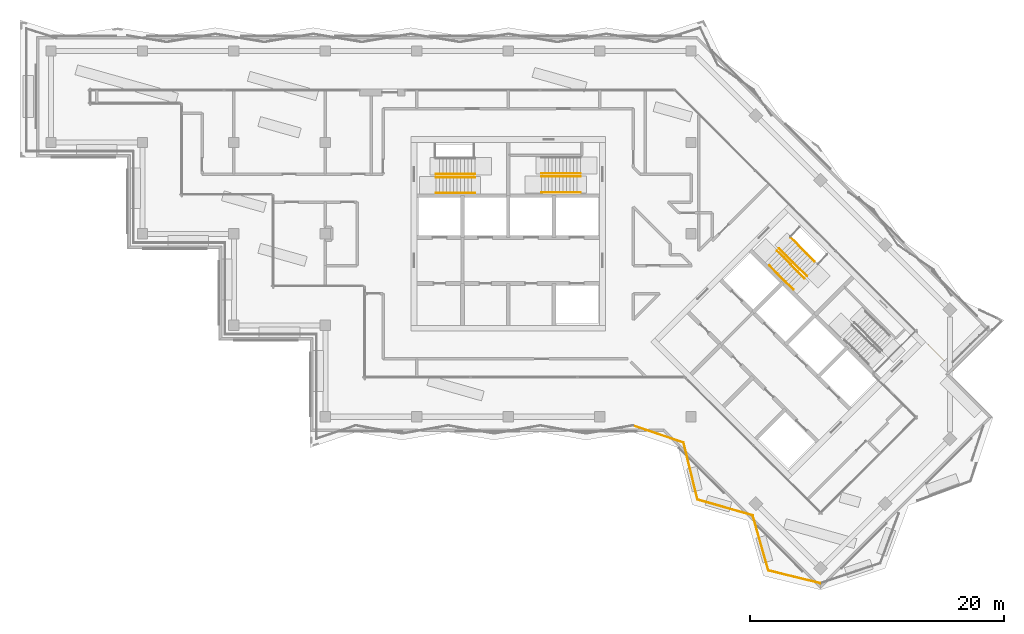
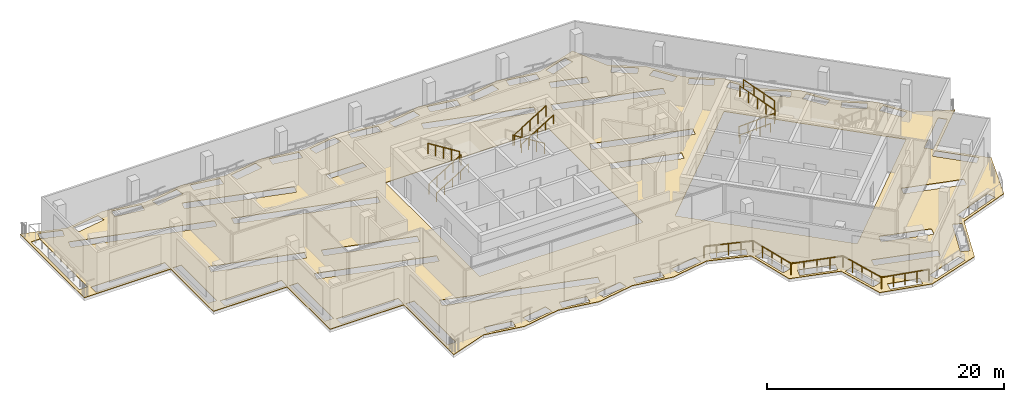
# One storey, part 14 of 19: 15 railings, 1 covering.
"""IFC4 building model written with IfcOpenShell, lengths in metres."""

import ifcopenshell
import ifcopenshell.guid

model = None  # the IFC model being written
_history = None  # IfcOwnerHistory: only IFC2X3 demands one
_inside = {}  # id of a spatial element -> (the spatial element, [elements in it])
_under = {}  # id of a project, library or spatial element -> (it, [spatial elements below it])
_declared = {}  # id of a project -> (the project, [libraries it declares])
_typed = {}  # id of a type object -> (the type object, [elements of that type])
_made_of = {}  # id of a material, layer set ... -> (it, [elements and type objects made of it])


def new_model(schema):
    """Start an empty IFC model of exactly this schema.

    Asked for "IFC4X3", IfcOpenShell would pick the latest addendum, in which some entities
    have other attributes; the version numbers below select the first issue.
    IFC2X3 requires an IfcOwnerHistory on every rooted entity: one is made here for all.
    """
    global model, _history
    if schema == "IFC4X3":
        model = ifcopenshell.file(schema_version=(4, 3, 0, 0))
    else:
        model = ifcopenshell.file(schema=schema)
    _inside.clear()
    _under.clear()
    _declared.clear()
    _typed.clear()
    _made_of.clear()
    _history = None
    if model.schema == "IFC2X3":
        org = make("IfcOrganization", Name="unknown")
        user = make(
            "IfcPersonAndOrganization",
            ThePerson=make("IfcPerson", FamilyName="unknown"),
            TheOrganization=org,
        )
        app = make(
            "IfcApplication",
            ApplicationDeveloper=org,
            Version="unknown",
            ApplicationFullName="unknown",
            ApplicationIdentifier="unknown",
        )
        _history = make(
            "IfcOwnerHistory",
            OwningUser=user,
            OwningApplication=app,
            ChangeAction="ADDED",
            CreationDate=0,
        )
    return model


def make(cls, **values):
    """One entity of the class cls with the attributes given. An attribute that is None is left unset."""
    return model.create_entity(
        cls, **{name: value for name, value in values.items() if value is not None}
    )


def rooted(cls, **values):
    """An entity with a GlobalId (a new one), such as an element, a storey or a relation."""
    return make(cls, GlobalId=ifcopenshell.guid.new(), OwnerHistory=_history, **values)


def si_unit(unit_type, name, prefix=None):
    """IfcSIUnit, for example si_unit("LENGTHUNIT", "METRE", prefix="MILLI")."""
    return make("IfcSIUnit", UnitType=unit_type, Prefix=prefix, Name=name)


def assignment(units):
    """IfcUnitAssignment: the units of a project."""
    return None if units is None else make("IfcUnitAssignment", Units=units)


def point(xyz):
    """IfcCartesianPoint."""
    return None if xyz is None else make("IfcCartesianPoint", Coordinates=xyz)


def direction(xyz):
    """IfcDirection."""
    return None if xyz is None else make("IfcDirection", DirectionRatios=xyz)


def frame(location, z_axis=None, x_axis=None):
    """IfcAxis2Placement3D, a coordinate frame: its origin and axes. An axis left out is left unset."""
    return make(
        "IfcAxis2Placement3D",
        Location=point(location),
        Axis=direction(z_axis),
        RefDirection=direction(x_axis),
    )


def frame_2d(location, x_axis=None):
    """IfcAxis2Placement2D, a coordinate frame in the plane: its origin and x axis."""
    return make(
        "IfcAxis2Placement2D", Location=point(location), RefDirection=direction(x_axis)
    )


def origin():
    """The frame at (0, 0, 0) with its axes left unset."""
    return frame((0.0, 0.0, 0.0))


def origin_2d():
    """The frame at (0, 0) in the plane with its x axis left unset."""
    return frame_2d((0.0, 0.0))


def place(relative_to, where):
    """IfcLocalPlacement: puts the frame where relative to a parent placement (None: the world)."""
    return make(
        "IfcLocalPlacement", PlacementRelTo=relative_to, RelativePlacement=where
    )


def context(
    kind, dimensions, precision=None, world=None, true_north=None, identifier=None
):
    """IfcGeometricRepresentationContext, for example the 3D "Model" context."""
    return make(
        "IfcGeometricRepresentationContext",
        ContextIdentifier=identifier,
        ContextType=kind,
        CoordinateSpaceDimension=dimensions,
        Precision=precision,
        WorldCoordinateSystem=world,
        TrueNorth=true_north,
    )


def subcontext(parent, identifier, kind, view, scale=None):
    """IfcGeometricRepresentationSubContext, for example "Body" below "Model"."""
    return make(
        "IfcGeometricRepresentationSubContext",
        ContextIdentifier=identifier,
        ContextType=kind,
        ParentContext=parent,
        TargetScale=scale,
        TargetView=view,
    )


def project(units=None, contexts=None):
    """IfcProject with its units and contexts."""
    return rooted(
        "IfcProject",
        Name="project",
        RepresentationContexts=contexts,
        UnitsInContext=assignment(units),
    )


def spatial(cls, under=None, at=None, **own):
    """A site, building, storey or space (cls), placed at a placement, below another one or the project."""
    s = rooted(cls, ObjectPlacement=at, **own)
    if under is not None:
        _under.setdefault(under.id(), (under, []))[1].append(s)
    return s


def polyline(points):
    """IfcPolyline through the points."""
    return make("IfcPolyline", Points=[point(p) for p in points])


def profile(cls, at=None, kind="AREA", **sizes):
    """A parametric profile (cls). Its sizes go by their IFC names, for example OverallWidth=200.0."""
    return make(cls, ProfileType=kind, Position=at, **sizes)


def circle(**sizes):
    """IfcCircleProfileDef."""
    return profile("IfcCircleProfileDef", **sizes)


def outline(outer, holes=None, kind="AREA"):
    """IfcArbitraryClosedProfileDef: a profile drawn as a closed curve; with holes, ...WithVoids."""
    if holes is None:
        return make("IfcArbitraryClosedProfileDef", ProfileType=kind, OuterCurve=outer)
    return make(
        "IfcArbitraryProfileDefWithVoids",
        ProfileType=kind,
        OuterCurve=outer,
        InnerCurves=holes,
    )


def extrude(swept, where, along, depth):
    """IfcExtrudedAreaSolid: the profile swept, set in the frame where, extruded along a direction by depth."""
    return make(
        "IfcExtrudedAreaSolid",
        SweptArea=swept,
        Position=where,
        ExtrudedDirection=direction(along),
        Depth=depth,
    )


def shape(context_of_items, identifier, shape_type, items):
    """IfcShapeRepresentation: the items that make up one representation, for example the "Body"."""
    return make(
        "IfcShapeRepresentation",
        ContextOfItems=context_of_items,
        RepresentationIdentifier=identifier,
        RepresentationType=shape_type,
        Items=items,
    )


def material(Name=None, Category=None):
    """IfcMaterial."""
    return make("IfcMaterial", Name=Name, Category=Category)


def layer(
    of_material, thickness, ventilated=None, Name=None, Category=None, Priority=None
):
    """IfcMaterialLayer: one layer of a wall or slab, of a material (None: an air gap)."""
    return make(
        "IfcMaterialLayer",
        Material=of_material,
        LayerThickness=thickness,
        IsVentilated=ventilated,
        Name=Name,
        Category=Category,
        Priority=Priority,
    )


def layer_set(layers, Name=None):
    """IfcMaterialLayerSet."""
    return make("IfcMaterialLayerSet", MaterialLayers=layers, LayerSetName=Name)


def made_of(thing, what):
    """Note that an element or type object is made of a material, layer set ...; save() writes the relation."""
    if what is not None:
        _made_of.setdefault(what.id(), (what, []))[1].append(thing)
    return thing


def type_object(cls, material=None, **own):
    """A type object (cls), such as IfcWallType, which elements share."""
    return made_of(rooted(cls, **own), material)


def element(
    cls,
    number,
    at=None,
    inside=None,
    cuts=None,
    type_object=None,
    material=None,
    context=None,
    identifier="Body",
    shape_type=None,
    held_by="IfcProductDefinitionShape",
    body=None,
    shapes=None,
    **own,
):
    """One element of the class cls, such as IfcWall. Its Tag is "e" and its number.

    at: its placement. inside: the storey or other place that contains it. cuts: it is an
    opening in that element (IfcRelVoidsElement). A single representation is given by context,
    identifier, shape_type and body (its items); several are given by shapes. held_by: the class
    of the entity that holds the representations. save() writes the other relations.
    """
    e = rooted(cls, Tag="e%d" % number, ObjectPlacement=at, **own)
    if body is not None:
        shapes = [shape(context, identifier, shape_type, body)]
    if shapes is not None:
        e.Representation = make(held_by, Representations=shapes)
    if inside is not None:
        _inside.setdefault(inside.id(), (inside, []))[1].append(e)
    if cuts is not None:
        rooted(
            "IfcRelVoidsElement", RelatingBuildingElement=cuts, RelatedOpeningElement=e
        )
    if type_object is not None:
        _typed.setdefault(type_object.id(), (type_object, []))[1].append(e)
    return made_of(e, material)


def aggregate(whole, parts):
    """IfcRelAggregates: a whole, such as a stair, and the parts it consists of."""
    return rooted("IfcRelAggregates", RelatingObject=whole, RelatedObjects=parts)


def save(model, path):
    """Write the relations noted so far, then the file.

    IfcRelAggregates (storeys below a building ...), IfcRelContainedInSpatialStructure (elements
    in a storey), IfcRelDefinesByType, IfcRelAssociatesMaterial and IfcRelDeclares: one each for
    every whole, place, type object, material and project.
    """
    for whole, parts in _under.values():
        aggregate(whole, parts)
    for where, things in _inside.values():
        rooted(
            "IfcRelContainedInSpatialStructure",
            RelatedElements=things,
            RelatingStructure=where,
        )
    for kind, things in _typed.values():
        rooted("IfcRelDefinesByType", RelatedObjects=things, RelatingType=kind)
    for what, things in _made_of.values():
        rooted("IfcRelAssociatesMaterial", RelatedObjects=things, RelatingMaterial=what)
    for by, libraries in _declared.values():
        rooted("IfcRelDeclares", RelatingContext=by, RelatedDefinitions=libraries)
    model.write(path)


model = new_model("IFC4")

# Units and contexts
model_context = context("Model", 3, precision=1e-05, world=origin(), true_north=direction((0.0, 1.0)))
body_context = subcontext(model_context, "Body", "Model", "MODEL_VIEW")
ifc_project = project(units=[si_unit("LENGTHUNIT", "METRE"), si_unit("AREAUNIT", "SQUARE_METRE"), si_unit("VOLUMEUNIT", "CUBIC_METRE"), si_unit("PLANEANGLEUNIT", "RADIAN"), si_unit("MASSUNIT", "GRAM", prefix="KILO")], contexts=[model_context])

# Site, building, storey
site_placement = place(None, origin())
site = spatial("IfcSite", under=ifc_project, at=site_placement, CompositionType="ELEMENT")
building_placement = place(site_placement, origin())
building = spatial("IfcBuilding", under=site, at=building_placement, Name="Windrow Commons", CompositionType="ELEMENT")
storey_placement = place(building_placement, frame((0.0, 0.0, 230.4)))
storey = spatial("IfcBuildingStorey", under=building, at=storey_placement, Name="L63", CompositionType="ELEMENT", Elevation=230.4)

# Railings
ifc_material_1 = material(Name="Steel S355", Category="steel")
railing_type_1 = type_object("IfcRailingType", Name="Core stair guard 1100", PredefinedType="GUARDRAIL", material=ifc_material_1)
railing_1_placement = place(storey_placement, frame((59.1, 62.05, 0.175)))
element("IfcRailing", 1, at=railing_1_placement, inside=storey, type_object=railing_type_1, Name="L63 ST-A1 stair guard 1", PredefinedType="GUARDRAIL", context=body_context, shape_type="SweptSolid", body=[
    extrude(circle(Radius=0.024, at=origin_2d()), frame((0.0, 0.0, 1.076), z_axis=(0.847998304, 0.0, 0.52999894), x_axis=(0.0, 1.0, 0.0)), (0.0, 0.0, 1.0), 3.6321),
    extrude(circle(Radius=0.021, at=origin_2d()), origin(), (0.0, 0.0, 1.0), 1.052),
    extrude(circle(Radius=0.021, at=origin_2d()), frame((0.77, 0.0, 0.4813)), (0.0, 0.0, 1.0), 1.052),
    extrude(circle(Radius=0.021, at=origin_2d()), frame((1.54, 0.0, 0.9625)), (0.0, 0.0, 1.0), 1.052),
    extrude(circle(Radius=0.021, at=origin_2d()), frame((2.31, 0.0, 1.4438)), (0.0, 0.0, 1.0), 1.052),
    extrude(circle(Radius=0.021, at=origin_2d()), frame((3.08, 0.0, 1.925)), (0.0, 0.0, 1.0), 1.052),
])
railing_2_placement = place(storey_placement, frame((62.18, 62.3, 2.275)))
element("IfcRailing", 2, at=railing_2_placement, inside=storey, type_object=railing_type_1, Name="L63 ST-A1 stair guard 2", PredefinedType="GUARDRAIL", context=body_context, shape_type="SweptSolid", body=[
    extrude(circle(Radius=0.024, at=origin_2d()), frame((0.0, 0.0, 1.076), z_axis=(-0.847998304, 0.0, 0.52999894), x_axis=(0.0, -1.0, 0.0)), (0.0, 0.0, 1.0), 3.6321),
    extrude(circle(Radius=0.021, at=origin_2d()), origin(), (0.0, 0.0, 1.0), 1.052),
    extrude(circle(Radius=0.021, at=origin_2d()), frame((-0.77, 0.0, 0.4812)), (0.0, 0.0, 1.0), 1.052),
    extrude(circle(Radius=0.021, at=origin_2d()), frame((-1.54, 0.0, 0.9625)), (0.0, 0.0, 1.0), 1.052),
    extrude(circle(Radius=0.021, at=origin_2d()), frame((-2.31, 0.0, 1.4437)), (0.0, 0.0, 1.0), 1.052),
    extrude(circle(Radius=0.021, at=origin_2d()), frame((-3.08, 0.0, 1.925)), (0.0, 0.0, 1.0), 1.052),
])
railing_3_placement = place(storey_placement, frame((70.5, 62.355, 0.175)))
element("IfcRailing", 3, at=railing_3_placement, inside=storey, type_object=railing_type_1, Name="L63 ST-A2 stair guard 1", PredefinedType="GUARDRAIL", context=body_context, shape_type="SweptSolid", body=[
    extrude(circle(Radius=0.024, at=origin_2d()), frame((0.0, 0.0, 1.076), z_axis=(-0.847998304, 0.0, 0.52999894), x_axis=(0.0, -1.0, 0.0)), (0.0, 0.0, 1.0), 3.6321),
    extrude(circle(Radius=0.021, at=origin_2d()), origin(), (0.0, 0.0, 1.0), 1.052),
    extrude(circle(Radius=0.021, at=origin_2d()), frame((-0.77, 0.0, 0.4813)), (0.0, 0.0, 1.0), 1.052),
    extrude(circle(Radius=0.021, at=origin_2d()), frame((-1.54, 0.0, 0.9625)), (0.0, 0.0, 1.0), 1.052),
    extrude(circle(Radius=0.021, at=origin_2d()), frame((-2.31, 0.0, 1.4438)), (0.0, 0.0, 1.0), 1.052),
    extrude(circle(Radius=0.021, at=origin_2d()), frame((-3.08, 0.0, 1.925)), (0.0, 0.0, 1.0), 1.052),
])
railing_4_placement = place(storey_placement, frame((67.42, 62.105, 2.275)))
element("IfcRailing", 4, at=railing_4_placement, inside=storey, type_object=railing_type_1, Name="L63 ST-A2 stair guard 2", PredefinedType="GUARDRAIL", context=body_context, shape_type="SweptSolid", body=[
    extrude(circle(Radius=0.024, at=origin_2d()), frame((0.0, 0.0, 1.076), z_axis=(0.847998304, 0.0, 0.52999894), x_axis=(0.0, 1.0, 0.0)), (0.0, 0.0, 1.0), 3.6321),
    extrude(circle(Radius=0.021, at=origin_2d()), origin(), (0.0, 0.0, 1.0), 1.052),
    extrude(circle(Radius=0.021, at=origin_2d()), frame((0.77, 0.0, 0.4812)), (0.0, 0.0, 1.0), 1.052),
    extrude(circle(Radius=0.021, at=origin_2d()), frame((1.54, 0.0, 0.9625)), (0.0, 0.0, 1.0), 1.052),
    extrude(circle(Radius=0.021, at=origin_2d()), frame((2.31, 0.0, 1.4437)), (0.0, 0.0, 1.0), 1.052),
    extrude(circle(Radius=0.021, at=origin_2d()), frame((3.08, 0.0, 1.925)), (0.0, 0.0, 1.0), 1.052),
])
railing_5_placement = place(storey_placement, frame((85.9529, 56.2669, 0.175)))
element("IfcRailing", 5, at=railing_5_placement, inside=storey, type_object=railing_type_1, Name="L63 ST-B1 stair guard 1", PredefinedType="GUARDRAIL", context=body_context, shape_type="SweptSolid", body=[
    extrude(circle(Radius=0.024, at=origin_2d()), frame((0.0, 0.0, 1.076), z_axis=(0.5996262107, -0.5996262107, 0.5299969951), x_axis=(0.7071067812, 0.7071067812, 0.0)), (0.0, 0.0, 1.0), 3.6321),
    extrude(circle(Radius=0.021, at=origin_2d()), origin(), (0.0, 0.0, 1.0), 1.052),
    extrude(circle(Radius=0.021, at=origin_2d()), frame((0.5445, -0.5445, 0.4813)), (0.0, 0.0, 1.0), 1.052),
    extrude(circle(Radius=0.021, at=origin_2d()), frame((1.0889, -1.089, 0.9625)), (0.0, 0.0, 1.0), 1.052),
    extrude(circle(Radius=0.021, at=origin_2d()), frame((1.6334, -1.6334, 1.4438)), (0.0, 0.0, 1.0), 1.052),
    extrude(circle(Radius=0.021, at=origin_2d()), frame((2.1779, -2.1779, 1.925)), (0.0, 0.0, 1.0), 1.052),
])
railing_6_placement = place(storey_placement, frame((88.3075, 54.2658, 2.275)))
element("IfcRailing", 6, at=railing_6_placement, inside=storey, type_object=railing_type_1, Name="L63 ST-B1 stair guard 2", PredefinedType="GUARDRAIL", context=body_context, shape_type="SweptSolid", body=[
    extrude(circle(Radius=0.024, at=origin_2d()), frame((0.0, 0.0, 1.076), z_axis=(-0.5996262107, 0.5996262107, 0.5299969951), x_axis=(-0.7071067812, -0.7071067812, 0.0)), (0.0, 0.0, 1.0), 3.6321),
    extrude(circle(Radius=0.021, at=origin_2d()), origin(), (0.0, 0.0, 1.0), 1.052),
    extrude(circle(Radius=0.021, at=origin_2d()), frame((-0.5445, 0.5445, 0.4812)), (0.0, 0.0, 1.0), 1.052),
    extrude(circle(Radius=0.021, at=origin_2d()), frame((-1.089, 1.089, 0.9625)), (0.0, 0.0, 1.0), 1.052),
    extrude(circle(Radius=0.021, at=origin_2d()), frame((-1.6334, 1.6334, 1.4437)), (0.0, 0.0, 1.0), 1.052),
    extrude(circle(Radius=0.021, at=origin_2d()), frame((-2.1779, 2.1779, 1.925)), (0.0, 0.0, 1.0), 1.052),
])
ifc_material_2 = material(Name="Steel S355", Category="steel")
railing_type_2 = type_object("IfcRailingType", Name="Core stair handrail 900", PredefinedType="HANDRAIL", material=ifc_material_2)
railing_7_placement = place(storey_placement, frame((59.1, 60.8, 0.175)))
element("IfcRailing", 7, at=railing_7_placement, inside=storey, type_object=railing_type_2, Name="L63 ST-A1 stair handrail 1", PredefinedType="HANDRAIL", context=body_context, shape_type="SweptSolid", body=[
    extrude(circle(Radius=0.024, at=origin_2d()), frame((0.0, 0.0, 0.876), z_axis=(0.847998304, 0.0, 0.52999894), x_axis=(0.0, 1.0, 0.0)), (0.0, 0.0, 1.0), 3.6321),
    extrude(circle(Radius=0.021, at=origin_2d()), origin(), (0.0, 0.0, 1.0), 0.852),
    extrude(circle(Radius=0.021, at=origin_2d()), frame((0.77, 0.0, 0.4813)), (0.0, 0.0, 1.0), 0.852),
    extrude(circle(Radius=0.021, at=origin_2d()), frame((1.54, 0.0, 0.9625)), (0.0, 0.0, 1.0), 0.852),
    extrude(circle(Radius=0.021, at=origin_2d()), frame((2.31, 0.0, 1.4438)), (0.0, 0.0, 1.0), 0.852),
    extrude(circle(Radius=0.021, at=origin_2d()), frame((3.08, 0.0, 1.925)), (0.0, 0.0, 1.0), 0.852),
])
railing_8_placement = place(storey_placement, frame((67.42, 60.855, 2.275)))
element("IfcRailing", 8, at=railing_8_placement, inside=storey, type_object=railing_type_2, Name="L63 ST-A2 stair handrail 2", PredefinedType="HANDRAIL", context=body_context, shape_type="SweptSolid", body=[
    extrude(circle(Radius=0.024, at=origin_2d()), frame((0.0, 0.0, 0.876), z_axis=(0.847998304, 0.0, 0.52999894), x_axis=(0.0, 1.0, 0.0)), (0.0, 0.0, 1.0), 3.6321),
    extrude(circle(Radius=0.021, at=origin_2d()), origin(), (0.0, 0.0, 1.0), 0.852),
    extrude(circle(Radius=0.021, at=origin_2d()), frame((0.77, 0.0, 0.4812)), (0.0, 0.0, 1.0), 0.852),
    extrude(circle(Radius=0.021, at=origin_2d()), frame((1.54, 0.0, 0.9625)), (0.0, 0.0, 1.0), 0.852),
    extrude(circle(Radius=0.021, at=origin_2d()), frame((2.31, 0.0, 1.4437)), (0.0, 0.0, 1.0), 0.852),
    extrude(circle(Radius=0.021, at=origin_2d()), frame((3.08, 0.0, 1.925)), (0.0, 0.0, 1.0), 0.852),
])
railing_9_placement = place(storey_placement, frame((85.3518, 55.1001, 0.425)))
element("IfcRailing", 9, at=railing_9_placement, inside=storey, type_object=railing_type_2, Name="L63 ST-B1 stair handrail 1", PredefinedType="HANDRAIL", context=body_context, shape_type="SweptSolid", body=[
    extrude(circle(Radius=0.024, at=origin_2d()), frame((0.0, 0.0, 0.876), z_axis=(0.599641512, -0.5996098703, 0.5299981703), x_axis=(0.7070881243, 0.7071254376, 0.0)), (0.0, 0.0, 1.0), 3.1604),
    extrude(circle(Radius=0.021, at=origin_2d()), origin(), (0.0, 0.0, 1.0), 0.852),
    extrude(circle(Radius=0.021, at=origin_2d()), frame((0.6317, -0.6317, 0.5583)), (0.0, 0.0, 1.0), 0.852),
    extrude(circle(Radius=0.021, at=origin_2d()), frame((1.2634, -1.2633, 1.1167)), (0.0, 0.0, 1.0), 0.852),
    extrude(circle(Radius=0.021, at=origin_2d()), frame((1.8951, -1.895, 1.675)), (0.0, 0.0, 1.0), 0.852),
])
railing_10_placement = place(storey_placement, frame((88.9086, 55.4325, 2.525)))
element("IfcRailing", 10, at=railing_10_placement, inside=storey, type_object=railing_type_2, Name="L63 ST-B1 stair handrail 2", PredefinedType="HANDRAIL", context=body_context, shape_type="SweptSolid", body=[
    extrude(circle(Radius=0.024, at=origin_2d()), frame((0.0, 0.0, 0.876), z_axis=(-0.599641512, 0.5996098703, 0.5299981703), x_axis=(-0.7070881243, -0.7071254376, 0.0)), (0.0, 0.0, 1.0), 3.1604),
    extrude(circle(Radius=0.021, at=origin_2d()), origin(), (0.0, 0.0, 1.0), 0.852),
    extrude(circle(Radius=0.021, at=origin_2d()), frame((-0.6317, 0.6317, 0.5583)), (0.0, 0.0, 1.0), 0.852),
    extrude(circle(Radius=0.021, at=origin_2d()), frame((-1.2634, 1.2633, 1.1167)), (0.0, 0.0, 1.0), 0.852),
    extrude(circle(Radius=0.021, at=origin_2d()), frame((-1.8951, 1.895, 1.675)), (0.0, 0.0, 1.0), 0.852),
])
ifc_material_3 = material(Name="Stainless steel S316 balustrade with toughened glass infill", Category="steel")
railing_type_3 = type_object("IfcRailingType", Name="Terrace guard 1200 podium", PredefinedType="BALUSTRADE", material=ifc_material_3)
railing_11_placement = place(storey_placement, frame((89.3611, 30.0936, 0.05)))
element("IfcRailing", 11, at=railing_11_placement, inside=storey, type_object=railing_type_3, Name="Guard TR-L63-1.E39", PredefinedType="BALUSTRADE", context=body_context, shape_type="SweptSolid", body=[
    extrude(circle(Radius=0.025, at=origin_2d()), frame((0.0, 0.0, 1.175), z_axis=(-0.9712804435, 0.237937597, 0.0), x_axis=(-0.237937597, -0.9712804435, 0.0)), (0.0, 0.0, 1.0), 4.1935),
    extrude(circle(Radius=0.02, at=origin_2d()), origin(), (0.0, 0.0, 1.0), 1.15),
    extrude(circle(Radius=0.02, at=origin_2d()), frame((-1.0183, 0.2495, 0.0)), (0.0, 0.0, 1.0), 1.15),
    extrude(circle(Radius=0.02, at=origin_2d()), frame((-2.0365, 0.4989, 0.0)), (0.0, 0.0, 1.0), 1.15),
    extrude(circle(Radius=0.02, at=origin_2d()), frame((-3.0548, 0.7484, 0.0)), (0.0, 0.0, 1.0), 1.15),
    extrude(circle(Radius=0.02, at=origin_2d()), frame((-4.0731, 0.9978, 0.0)), (0.0, 0.0, 1.0), 1.15),
])
railing_12_placement = place(storey_placement, frame((85.288, 31.0914, 0.05)))
element("IfcRailing", 12, at=railing_12_placement, inside=storey, type_object=railing_type_3, Name="Guard TR-L63-1.E40", PredefinedType="BALUSTRADE", context=body_context, shape_type="SweptSolid", body=[
    extrude(circle(Radius=0.025, at=origin_2d()), frame((0.0, 0.0, 1.175), z_axis=(-0.2744607927, 0.961598291, 0.0), x_axis=(-0.961598291, -0.2744607927, 0.0)), (0.0, 0.0, 1.0), 4.5154),
    extrude(circle(Radius=0.02, at=origin_2d()), origin(), (0.0, 0.0, 1.0), 1.15),
    extrude(circle(Radius=0.02, at=origin_2d()), frame((-0.3098, 1.0855, 0.0)), (0.0, 0.0, 1.0), 1.15),
    extrude(circle(Radius=0.02, at=origin_2d()), frame((-0.6197, 2.171, 0.0)), (0.0, 0.0, 1.0), 1.15),
    extrude(circle(Radius=0.02, at=origin_2d()), frame((-0.9295, 3.2565, 0.0)), (0.0, 0.0, 1.0), 1.15),
    extrude(circle(Radius=0.02, at=origin_2d()), frame((-1.2393, 4.342, 0.0)), (0.0, 0.0, 1.0), 1.15),
])
railing_13_placement = place(storey_placement, frame((84.0487, 35.4334, 0.05)))
element("IfcRailing", 13, at=railing_13_placement, inside=storey, type_object=railing_type_3, Name="Guard TR-L63-1.E41", PredefinedType="BALUSTRADE", context=body_context, shape_type="SweptSolid", body=[
    extrude(circle(Radius=0.025, at=origin_2d()), frame((0.0, 0.0, 1.175), z_axis=(-0.961598291, 0.2744607927, 0.0), x_axis=(-0.2744607927, -0.961598291, 0.0)), (0.0, 0.0, 1.0), 4.5154),
    extrude(circle(Radius=0.02, at=origin_2d()), origin(), (0.0, 0.0, 1.0), 1.15),
    extrude(circle(Radius=0.02, at=origin_2d()), frame((-1.0855, 0.3098, 0.0)), (0.0, 0.0, 1.0), 1.15),
    extrude(circle(Radius=0.02, at=origin_2d()), frame((-2.171, 0.6197, 0.0)), (0.0, 0.0, 1.0), 1.15),
    extrude(circle(Radius=0.02, at=origin_2d()), frame((-3.2565, 0.9295, 0.0)), (0.0, 0.0, 1.0), 1.15),
    extrude(circle(Radius=0.02, at=origin_2d()), frame((-4.342, 1.2393, 0.0)), (0.0, 0.0, 1.0), 1.15),
])
railing_14_placement = place(storey_placement, frame((79.7067, 36.6727, 0.05)))
element("IfcRailing", 14, at=railing_14_placement, inside=storey, type_object=railing_type_3, Name="Guard TR-L63-1.E42", PredefinedType="BALUSTRADE", context=body_context, shape_type="SweptSolid", body=[
    extrude(circle(Radius=0.025, at=origin_2d()), frame((0.0, 0.0, 1.175), z_axis=(-0.2379513888, 0.9712770648, 0.0), x_axis=(-0.9712770648, -0.2379513888, 0.0)), (0.0, 0.0, 1.0), 4.6119),
    extrude(circle(Radius=0.02, at=origin_2d()), origin(), (0.0, 0.0, 1.0), 1.15),
    extrude(circle(Radius=0.02, at=origin_2d()), frame((-0.2743, 1.1198, 0.0)), (0.0, 0.0, 1.0), 1.15),
    extrude(circle(Radius=0.02, at=origin_2d()), frame((-0.5487, 2.2397, 0.0)), (0.0, 0.0, 1.0), 1.15),
    extrude(circle(Radius=0.02, at=origin_2d()), frame((-0.823, 3.3595, 0.0)), (0.0, 0.0, 1.0), 1.15),
    extrude(circle(Radius=0.02, at=origin_2d()), frame((-1.0974, 4.4794, 0.0)), (0.0, 0.0, 1.0), 1.15),
])
railing_15_placement = place(storey_placement, frame((78.6093, 41.1521, 0.05)))
element("IfcRailing", 15, at=railing_15_placement, inside=storey, type_object=railing_type_3, Name="Guard TR-L63-1.E43", PredefinedType="BALUSTRADE", context=body_context, shape_type="SweptSolid", body=[
    extrude(circle(Radius=0.025, at=origin_2d()), frame((0.0, 0.0, 1.175), z_axis=(-0.9466905675, 0.3221443302, 0.0), x_axis=(-0.3221443302, -0.9466905675, 0.0)), (0.0, 0.0, 1.0), 4.2295),
    extrude(circle(Radius=0.02, at=origin_2d()), origin(), (0.0, 0.0, 1.0), 1.15),
    extrude(circle(Radius=0.02, at=origin_2d()), frame((-1.001, 0.3406, 0.0)), (0.0, 0.0, 1.0), 1.15),
    extrude(circle(Radius=0.02, at=origin_2d()), frame((-2.002, 0.6813, 0.0)), (0.0, 0.0, 1.0), 1.15),
    extrude(circle(Radius=0.02, at=origin_2d()), frame((-3.003, 1.0219, 0.0)), (0.0, 0.0, 1.0), 1.15),
    extrude(circle(Radius=0.02, at=origin_2d()), frame((-4.004, 1.3625, 0.0)), (0.0, 0.0, 1.0), 1.15),
])

# Covering
ifc_material_4 = material(Name="Granite paving", Category="masonry")
ifc_layer = layer(ifc_material_4, 0.05)
ifc_layer_set = layer_set([ifc_layer], Name="Terrace paving 50")
covering_type = type_object("IfcCoveringType", Name="Terrace paving 50", PredefinedType="FLOORING", material=ifc_layer_set)
covering_placement = place(storey_placement, origin())
element("IfcCovering", 16, at=covering_placement, inside=storey, type_object=covering_type, Name="Terrace paving TR-L63-1", PredefinedType="FLOORING", context=body_context, shape_type="SweptSolid", body=[
    extrude(outline(polyline([(67.3181, 42.0), (63.6944, 41.367), (60.0708, 42.0), (56.4472, 41.367), (52.8236, 42.0), (49.2, 40.767), (49.2, 49.2), (42.0, 49.2), (42.0, 56.4), (34.8, 56.4), (34.8, 63.6), (26.367, 63.6), (26.367, 74.433), (30.2125, 73.2), (34.0579, 73.833), (37.9034, 73.2), (41.7489, 73.833), (45.5944, 73.2), (49.4398, 73.833), (53.2853, 73.2), (57.1308, 73.833), (60.9762, 73.2), (64.8217, 73.833), (68.6672, 73.2), (72.5126, 73.833), (76.3581, 73.2), (80.2036, 74.433), (81.6963, 71.2008), (84.5043, 69.2837), (86.4213, 66.4758), (89.2293, 64.5588), (91.1463, 61.7508), (93.9543, 59.8338), (95.8713, 57.0258), (98.6793, 55.1088), (100.5963, 52.3008), (103.8285, 50.808), (99.5647, 46.5442), (102.9588, 43.15), (102.1103, 40.6044), (101.2617, 38.0588), (96.312, 36.2204), (94.4735, 31.2706), (89.3823, 29.5736), (84.8869, 30.6749), (83.6442, 35.0289), (79.2902, 36.2716), (78.1889, 40.767), (74.5653, 42.0), (70.9417, 41.367), (67.3181, 42.0)]), holes=[polyline([(55.9267, 42.5339), (53.4332, 42.9695), (53.2921, 42.1618), (55.7856, 41.7262), (55.9267, 42.5339)]), polyline([(49.44, 42.2748), (50.26, 42.2748), (50.26, 49.25), (49.44, 49.25), (49.44, 42.2748)]), polyline([(49.25, 49.44), (49.25, 50.26), (43.25, 50.26), (43.25, 49.44), (49.25, 49.44)]), polyline([(42.24, 50.45), (43.06, 50.45), (43.06, 56.45), (42.24, 56.45), (42.24, 50.45)]), polyline([(44.9533, 56.9599), (44.7301, 56.1708), (54.9967, 53.2675), (55.2199, 54.0565), (44.9533, 56.9599)]), polyline([(42.05, 56.64), (42.05, 57.46), (36.05, 57.46), (36.05, 56.64), (42.05, 56.64)]), polyline([(47.2083, 59.6477), (46.9851, 58.8586), (54.9967, 56.593), (55.2199, 57.382), (47.2083, 59.6477)]), polyline([(35.04, 57.65), (35.86, 57.65), (35.86, 63.65), (35.04, 63.65), (35.04, 57.65)]), polyline([(37.7533, 62.3215), (37.5301, 61.5325), (45.5417, 59.2668), (45.7649, 60.0559), (37.7533, 62.3215)]), polyline([(34.85, 63.84), (34.85, 64.66), (27.617, 64.66), (27.617, 63.84), (34.85, 63.84)]), polyline([(42.9918, 67.4911), (42.7686, 66.702), (54.9967, 63.244), (55.2199, 64.033), (42.9918, 67.4911)]), polyline([(26.607, 64.85), (27.427, 64.85), (27.427, 72.942), (26.607, 72.942), (26.607, 64.85)]), polyline([(29.3203, 71.3573), (29.0971, 70.5683), (41.3252, 67.1102), (41.5484, 67.8993), (29.3203, 71.3573)]), polyline([(40.4756, 71.5281), (40.2524, 70.7391), (49.648, 68.0821), (49.8712, 68.8711), (40.4756, 71.5281)]), polyline([(30.6888, 73.0352), (30.822, 72.2261), (33.5325, 72.6723), (33.3993, 73.4814), (30.6888, 73.0352)]), polyline([(46.1198, 73.0433), (46.253, 72.2342), (48.9144, 72.6723), (48.7812, 73.4814), (46.1198, 73.0433)]), polyline([(42.4075, 73.4814), (42.2743, 72.6723), (44.9358, 72.2342), (45.069, 73.0433), (42.4075, 73.4814)]), polyline([(38.4288, 73.0433), (38.562, 72.2342), (41.2235, 72.6723), (41.0903, 73.4814), (38.4288, 73.0433)]), polyline([(34.7165, 73.4814), (34.5833, 72.6723), (37.2448, 72.2342), (37.378, 73.0433), (34.7165, 73.4814)]), polyline([(50.0984, 73.4814), (49.9652, 72.6723), (52.6267, 72.2342), (52.7599, 73.0433), (50.0984, 73.4814)]), polyline([(27.7135, 73.7492), (27.4632, 72.9684), (29.4669, 72.326), (29.7172, 73.1068), (27.7135, 73.7492)]), polyline([(78.0354, 41.0727), (78.2996, 41.849), (75.3174, 42.8638), (75.0532, 42.0875), (78.0354, 41.0727)]), polyline([(59.5503, 42.1527), (59.4092, 42.9604), (56.9677, 42.5339), (57.1088, 41.7262), (59.5503, 42.1527)]), polyline([(63.0328, 41.7262), (63.1739, 42.5339), (60.7324, 42.9604), (60.5913, 42.1527), (63.0328, 41.7262)]), polyline([(66.7976, 42.1527), (66.6565, 42.9604), (64.2149, 42.5339), (64.356, 41.7262), (66.7976, 42.1527)]), polyline([(70.2801, 41.7262), (70.4212, 42.5339), (67.9797, 42.9604), (67.8386, 42.1527), (70.2801, 41.7262)]), polyline([(74.0968, 42.1618), (73.9557, 42.9695), (71.4622, 42.5339), (71.6033, 41.7262), (74.0968, 42.1618)]), polyline([(52.1533, 48.2728), (51.9301, 47.4837), (65.1865, 43.7349), (65.4096, 44.5239), (52.1533, 48.2728)]), polyline([(74.6033, 58.5515), (74.3801, 57.7624), (80.4614, 56.0427), (80.6845, 56.8317), (74.6033, 58.5515)]), polyline([(72.75, 65.55), (56.85, 65.55), (56.85, 49.65), (72.75, 49.65), (72.75, 65.55)]), polyline([(74.6033, 61.877), (74.3801, 61.0879), (83.0537, 58.6351), (83.2769, 59.4241), (74.6033, 61.877)]), polyline([(74.6778, 68.5069), (74.4546, 67.7179), (83.8587, 65.0584), (84.0819, 65.8475), (74.6778, 68.5069)]), polyline([(56.6784, 69.05), (53.0784, 69.05), (53.0784, 68.4), (56.6784, 68.4), (56.6784, 69.05)]), polyline([(63.8302, 71.5745), (63.6071, 70.7855), (73.0112, 68.126), (73.2344, 68.9151), (63.8302, 71.5745)]), polyline([(76.1732, 71.4095), (75.95, 70.6205), (79.1222, 69.7234), (79.3454, 70.5124), (76.1732, 71.4095)]), polyline([(73.1712, 73.4814), (73.038, 72.6723), (75.7486, 72.2261), (75.8818, 73.0352), (73.1712, 73.4814)]), polyline([(69.1926, 73.0433), (69.3258, 72.2342), (71.9872, 72.6723), (71.854, 73.4814), (69.1926, 73.0433)]), polyline([(65.4803, 73.4814), (65.3471, 72.6723), (68.0086, 72.2342), (68.1418, 73.0433), (65.4803, 73.4814)]), polyline([(61.5016, 73.0433), (61.6348, 72.2342), (64.2963, 72.6723), (64.1631, 73.4814), (61.5016, 73.0433)]), polyline([(57.7894, 73.4814), (57.6562, 72.6723), (60.3176, 72.2342), (60.4508, 73.0433), (57.7894, 73.4814)]), polyline([(53.8107, 73.0433), (53.9439, 72.2342), (56.6054, 72.6723), (56.4722, 73.4814), (53.8107, 73.0433)]), polyline([(76.8534, 73.1068), (77.1037, 72.326), (79.4084, 73.0649), (79.1581, 73.8457), (76.8534, 73.1068)]), polyline([(88.6744, 29.9941), (88.8695, 30.7906), (86.0886, 31.4719), (85.8935, 30.6754), (88.6744, 29.9941)]), polyline([(93.533, 31.2101), (93.2737, 31.988), (89.7943, 30.8283), (90.0536, 30.0504), (93.533, 31.2101)]), polyline([(84.8494, 31.6808), (85.6379, 31.9059), (84.729, 35.0904), (83.9405, 34.8653), (84.8494, 31.6808)]), polyline([(86.6935, 35.1794), (86.4704, 34.3904), (92.0248, 32.8196), (92.2479, 33.6087), (86.6935, 35.1794)]), polyline([(95.9818, 36.0208), (95.2131, 36.3063), (93.7972, 32.494), (94.5659, 32.2085), (95.9818, 36.0208)]), polyline([(83.4806, 35.3252), (83.7057, 36.1137), (80.5212, 37.0226), (80.2961, 36.2341), (83.4806, 35.3252)]), polyline([(88.9439, 37.8685), (88.7207, 37.0795), (93.1426, 35.829), (93.3657, 36.6181), (88.9439, 37.8685)]), polyline([(100.3238, 37.9664), (100.0383, 38.7351), (96.2261, 37.3193), (96.5116, 36.5506), (100.3238, 37.9664)]), polyline([(79.2907, 37.2782), (80.0872, 37.4733), (79.2765, 40.7824), (78.48, 40.5873), (79.2907, 37.2782)]), polyline([(94.1286, 43.0533), (93.9055, 42.2642), (99.1635, 40.7773), (99.3866, 41.5664), (94.1286, 43.0533)]), polyline([(99.3597, 46.4098), (98.7798, 45.83), (101.5009, 43.1088), (102.0808, 43.6886), (99.3597, 46.4098)]), polyline([(102.5755, 49.8944), (101.9957, 50.4742), (98.7799, 47.2584), (99.3597, 46.6786), (102.5755, 49.8944)]), polyline([(98.0798, 49.0897), (86.8368, 60.3327), (75.5938, 49.0897), (86.8368, 37.8467), (98.0798, 49.0897)]), polyline([(98.8885, 54.3767), (98.2113, 53.9144), (99.4838, 52.0504), (100.161, 52.5127), (98.8885, 54.3767)]), polyline([(96.1303, 56.5584), (95.668, 55.8812), (97.4849, 54.6408), (97.9472, 55.318), (96.1303, 56.5584)]), polyline([(94.1635, 59.1017), (93.4863, 58.6394), (94.7267, 56.8225), (95.4039, 57.2848), (94.1635, 59.1017)]), polyline([(91.4053, 61.2834), (90.943, 60.6062), (92.7599, 59.3658), (93.2222, 60.043), (91.4053, 61.2834)]), polyline([(89.4385, 63.8267), (88.7613, 63.3644), (90.0017, 61.5475), (90.6789, 62.0098), (89.4385, 63.8267)]), polyline([(86.6803, 66.0084), (86.218, 65.3312), (88.0349, 64.0908), (88.4972, 64.768), (86.6803, 66.0084)]), polyline([(84.7135, 68.5516), (84.0363, 68.0893), (85.2767, 66.2725), (85.9539, 66.7348), (84.7135, 68.5516)]), polyline([(81.9082, 70.7655), (81.4459, 70.0883), (83.3099, 68.8157), (83.7722, 69.4929), (81.9082, 70.7655)])]), origin(), (0.0, 0.0, 1.0), 0.05),
])

save(model, "model.ifc")
